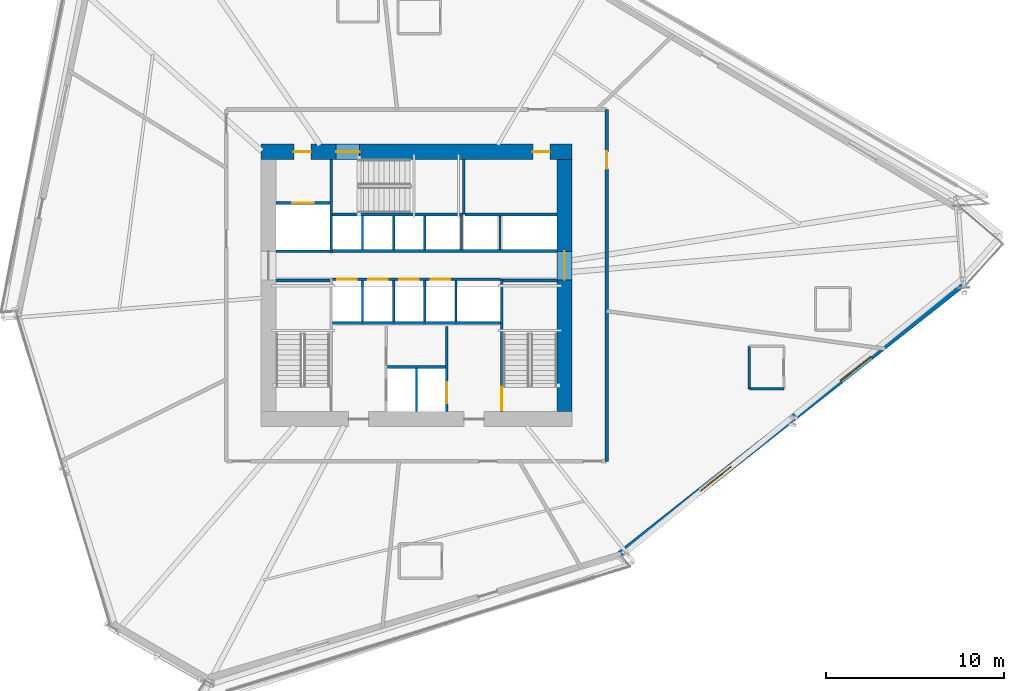
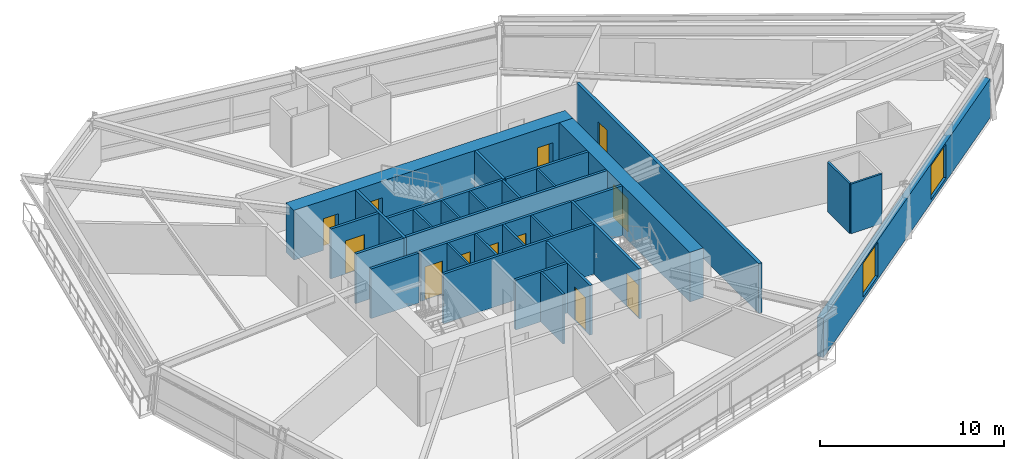
# One storey, part 18 of 22: 30 walls, 12 doors, 2 windows, 14 openings.
"""IFC4 building model written with IfcOpenShell, lengths in metres."""

from ifc_helpers import new_model, si_unit, direction, frame, frame_2d, origin, place, context, subcontext, project, spatial, rectangle, extrude, source, transform, mapped, material, layer, layer_set, type_object, type_shapes, element, fill, save


model = new_model("IFC4")

# Units and contexts
model_context = context("Model", 3, precision=1e-05, world=origin(), true_north=direction((0.0, 1.0)))
body_context = subcontext(model_context, "Body", "Model", "MODEL_VIEW")
ifc_project = project(units=[si_unit("LENGTHUNIT", "METRE"), si_unit("AREAUNIT", "SQUARE_METRE"), si_unit("VOLUMEUNIT", "CUBIC_METRE"), si_unit("PLANEANGLEUNIT", "RADIAN"), si_unit("MASSUNIT", "GRAM", prefix="KILO")], contexts=[model_context])

# Site, building, storey
site_placement = place(None, origin())
site = spatial("IfcSite", under=ifc_project, at=site_placement, CompositionType="ELEMENT")
building_placement = place(site_placement, origin())
building = spatial("IfcBuilding", under=site, at=building_placement, Name="Olszyna Solenne Hotel", CompositionType="ELEMENT")
storey_placement = place(building_placement, frame((0.0, 0.0, 50.60009765625)))
storey = spatial("IfcBuildingStorey", under=building, at=storey_placement, Name="L12", CompositionType="ELEMENT", Elevation=50.60009765625)

# Wall, openings, doors
ifc_material_1 = material(Name="Concrete C60/75", Category="concrete")
ifc_layer_1 = layer(ifc_material_1, 0.85009765625, Name="Concrete C60/75")
ifc_layer_set_1 = layer_set([ifc_layer_1], Name="Concrete C60/75")
wall_type_1 = type_object("IfcWallType", Name="WL-CR850", PredefinedType="SHEAR", material=ifc_layer_set_1)
wall_1_placement = place(storey_placement, frame((29.25, 34.125, 0.0), z_axis=(0.0, 0.0, 1.0), x_axis=(1.0, 0.0, 0.0)))
wall_1 = element("IfcWall", 1, at=wall_1_placement, inside=storey, type_object=wall_type_1, Name="Core shear wall WL-CR850 CRW-L12-N", PredefinedType="SHEAR", context=body_context, shape_type="SweptSolid", body=[
    extrude(rectangle(XDim=17.5, YDim=0.85009765625, at=frame_2d((8.75, 0.0))), origin(), (0.0, 0.0, 1.0), 3.2998046875),
])
opening_1_placement = place(wall_1_placement, frame((1.85009765625, 0.0, 0.0)))
opening_1 = element("IfcOpeningElement", 2, at=opening_1_placement, cuts=wall_1, Name="Opening SVD-L12-01", PredefinedType="OPENING", context=body_context, shape_type="SweptSolid", body=[
    extrude(rectangle(XDim=0.949951171875, YDim=2.10009765625, at=frame_2d((0.47509765625, 1.050048828125))), frame((0.0, 0.43505859375, 0.0), z_axis=(0.0, -1.0, 0.0), x_axis=(1.0, 0.0, 0.0)), (0.0, 0.0, 1.0), 0.8701171875),
])
opening_2_placement = place(wall_1_placement, frame((4.22998046875, 0.0, 0.0)))
opening_2 = element("IfcOpeningElement", 3, at=opening_2_placement, cuts=wall_1, Name="Opening STD-L12-03", PredefinedType="OPENING", context=body_context, shape_type="SweptSolid", body=[
    extrude(rectangle(XDim=1.320068359375, YDim=2.199951171875, at=frame_2d((0.66015625, 1.10009765625))), frame((0.0, 0.43505859375, 0.0), z_axis=(0.0, -1.0, 0.0), x_axis=(1.0, 0.0, 0.0)), (0.0, 0.0, 1.0), 0.8701171875),
])
opening_3_placement = place(wall_1_placement, frame((15.300048828125, 0.0, 0.0)))
opening_3 = element("IfcOpeningElement", 4, at=opening_3_placement, cuts=wall_1, Name="Opening SVD-L12-BN", PredefinedType="OPENING", context=body_context, shape_type="SweptSolid", body=[
    extrude(rectangle(XDim=0.949951171875, YDim=2.10009765625, at=frame_2d((0.47509765625, 1.050048828125))), frame((0.0, 0.43505859375, 0.0), z_axis=(0.0, -1.0, 0.0), x_axis=(1.0, 0.0, 0.0)), (0.0, 0.0, 1.0), 0.8701171875),
])
ifc_material_2 = material(Name="Steel S355J2", Category="steel")
door_type_1 = type_object("IfcDoorType", Name="DR-ST1", OperationType="NOTDEFINED", PredefinedType="DOOR", material=ifc_material_2)
shared_shape_1 = source(origin(), body_context, "Body", "SweptSolid", [
    extrude(rectangle(XDim=1.320068359375, YDim=2.199951171875, at=frame_2d((0.66015625, 1.10009765625))), frame((0.0, 0.02490234375, 0.0), z_axis=(0.0, -1.0, 0.0), x_axis=(1.0, 0.0, 0.0)), (0.0, 0.0, 1.0), 0.050048828125),
])
type_shapes(door_type_1, [shared_shape_1])
door_1_placement = place(opening_2_placement, origin())
door_1 = element("IfcDoor", 5, at=door_1_placement, inside=storey, type_object=door_type_1, Name="Pressurised exit stair ST3 fire door STD-L12-03", OperationType="SINGLE_SWING_RIGHT", OverallHeight=2.199951171875, OverallWidth=1.320068359375, PredefinedType="DOOR", context=body_context, shape_type="MappedRepresentation", body=[
    mapped(shared_shape_1, transform((0.0, 0.0, 0.0), x_axis=(1.0, 0.0, 0.0), y_axis=(0.0, 1.0, 0.0), z_axis=(0.0, 0.0, 1.0), scale=1.0)),
])
fill(opening_2, door_1)
door_type_2 = type_object("IfcDoorType", Name="DR-SV1", OperationType="NOTDEFINED", PredefinedType="DOOR", material=ifc_material_2)
shared_shape_2 = source(origin(), body_context, "Body", "SweptSolid", [
    extrude(rectangle(XDim=0.949951171875, YDim=2.10009765625, at=frame_2d((0.47509765625, 1.050048828125))), frame((0.0, 0.02490234375, 0.0), z_axis=(0.0, -1.0, 0.0), x_axis=(1.0, 0.0, 0.0)), (0.0, 0.0, 1.0), 0.050048828125),
])
type_shapes(door_type_2, [shared_shape_2])
door_2_placement = place(opening_1_placement, origin())
door_2 = element("IfcDoor", 6, at=door_2_placement, inside=storey, type_object=door_type_2, Name="Service lift lobby fire door SVD-L12-01", OperationType="SINGLE_SWING_LEFT", OverallHeight=2.10009765625, OverallWidth=0.949951171875, PredefinedType="DOOR", context=body_context, shape_type="MappedRepresentation", body=[
    mapped(shared_shape_2, transform((0.0, 0.0, 0.0), x_axis=(1.0, 0.0, 0.0), y_axis=(0.0, 1.0, 0.0), z_axis=(0.0, 0.0, 1.0), scale=1.0)),
])
fill(opening_1, door_2)
door_3_placement = place(opening_3_placement, origin())
door_3 = element("IfcDoor", 7, at=door_3_placement, inside=storey, type_object=door_type_2, Name="Housekeeping core fire door SVD-L12-BN", OperationType="SINGLE_SWING_LEFT", OverallHeight=2.10009765625, OverallWidth=0.949951171875, PredefinedType="DOOR", context=body_context, shape_type="MappedRepresentation", body=[
    mapped(shared_shape_2, transform((0.0, 0.0, 0.0), x_axis=(1.0, 0.0, 0.0), y_axis=(0.0, 1.0, 0.0), z_axis=(0.0, 0.0, 1.0), scale=1.0)),
])
fill(opening_3, door_3)

# Wall, opening, door
wall_2_placement = place(storey_placement, frame((46.324951171875, 33.699951171875, 0.0), z_axis=(0.0, 0.0, 1.0), x_axis=(0.0, -1.0, 0.0)))
wall_2 = element("IfcWall", 8, at=wall_2_placement, inside=storey, type_object=wall_type_1, Name="Core shear wall WL-CR850 CRW-L12-E", PredefinedType="SHEAR", context=body_context, shape_type="SweptSolid", body=[
    extrude(rectangle(XDim=14.199951171875, YDim=0.85009765625, at=frame_2d((7.10009765625, 0.0))), origin(), (0.0, 0.0, 1.0), 3.2998046875),
])
opening_4_placement = place(wall_2_placement, frame((5.179931640625, 0.0, 0.0)))
opening_4 = element("IfcOpeningElement", 9, at=opening_4_placement, cuts=wall_2, Name="Opening LHD-L12-E", PredefinedType="OPENING", context=body_context, shape_type="SweptSolid", body=[
    extrude(rectangle(XDim=1.60009765625, YDim=2.199951171875, at=frame_2d((0.800048828125, 1.10009765625))), frame((0.0, 0.43505859375, 0.0), z_axis=(0.0, -1.0, 0.0), x_axis=(1.0, 0.0, 0.0)), (0.0, 0.0, 1.0), 0.8701171875),
])
ifc_material_3 = material(Name="Timber hardwood", Category="wood")
door_type_3 = type_object("IfcDoorType", Name="DR-CR1", OperationType="DOUBLE_DOOR_SINGLE_SWING", PredefinedType="DOOR", material=ifc_material_3)
shared_shape_3 = source(origin(), body_context, "Body", "SweptSolid", [
    extrude(rectangle(XDim=1.60009765625, YDim=2.199951171875, at=frame_2d((0.800048828125, 1.10009765625))), frame((0.0, 0.02490234375, 0.0), z_axis=(0.0, -1.0, 0.0), x_axis=(1.0, 0.0, 0.0)), (0.0, 0.0, 1.0), 0.050048828125),
])
type_shapes(door_type_3, [shared_shape_3])
door_4_placement = place(opening_4_placement, origin())
door_4 = element("IfcDoor", 10, at=door_4_placement, inside=storey, type_object=door_type_3, Name="Passenger lift lobby East fire door LHD-L12-E", OperationType="DOUBLE_DOOR_SINGLE_SWING", OverallHeight=2.199951171875, OverallWidth=1.60009765625, PredefinedType="DOOR", context=body_context, shape_type="MappedRepresentation", body=[
    mapped(shared_shape_3, transform((0.0, 0.0, 0.0), x_axis=(1.0, 0.0, 0.0), y_axis=(0.0, 1.0, 0.0), z_axis=(0.0, 0.0, 1.0), scale=1.0)),
])
fill(opening_4, door_4)

# Wall, openings, windows
ifc_material_4 = material(Name="Terracotta cladding on precast concrete C45/55", Category="masonry")
ifc_layer_2 = layer(ifc_material_4, 0.3798828125, Name="Terracotta cladding on precast concrete C45/55")
ifc_layer_set_2 = layer_set([ifc_layer_2], Name="Terracotta cladding on precast concrete C45/55")
wall_type_2 = type_object("IfcWallType", Name="WL-EX380", PredefinedType="SOLIDWALL", material=ifc_layer_set_2)
wall_3_placement = place(storey_placement, frame((68.6787109375, 26.63671875, 0.0), z_axis=(0.0, 0.0, 1.0), x_axis=(-0.785087909817, -0.619384350674, 0.0)))
wall_3 = element("IfcWall", 11, at=wall_3_placement, inside=storey, type_object=wall_type_2, Name="Exterior terracotta-precast frame wall WL-EX380 EW-L12-10", PredefinedType="SOLIDWALL", context=body_context, shape_type="SweptSolid", body=[
    extrude(rectangle(XDim=24.4873046875, YDim=0.3798828125, at=frame_2d((12.24365234375, 0.0))), origin(), (0.0, 0.0, 1.0), 2.591796875),
])
opening_5_placement = place(wall_3_placement, frame((6.506103515625, 0.0, 0.221923828125)))
opening_5 = element("IfcOpeningElement", 12, at=opening_5_placement, cuts=wall_3, Name="Opening WN-L12-055", PredefinedType="OPENING", context=body_context, shape_type="SweptSolid", body=[
    extrude(rectangle(XDim=2.199951171875, YDim=2.25, at=frame_2d((1.10009765625, 1.125))), frame((0.0, 0.199951171875, 0.0), z_axis=(0.0, -1.0, 0.0), x_axis=(1.0, 0.0, 0.0)), (0.0, 0.0, 1.0), 0.39990234375),
])
opening_6_placement = place(wall_3_placement, frame((16.531005859375, 0.0, 0.221923828125)))
opening_6 = element("IfcOpeningElement", 13, at=opening_6_placement, cuts=wall_3, Name="Opening WN-L12-056", PredefinedType="OPENING", context=body_context, shape_type="SweptSolid", body=[
    extrude(rectangle(XDim=2.199951171875, YDim=2.25, at=frame_2d((1.10009765625, 1.125))), frame((0.0, 0.199951171875, 0.0), z_axis=(0.0, -1.0, 0.0), x_axis=(1.0, 0.0, 0.0)), (0.0, 0.0, 1.0), 0.39990234375),
])
ifc_material_5 = material(Name="Low-E triple glazing", Category="glass")
window_type = type_object("IfcWindowType", Name="WN-HT2", PartitioningType="SINGLE_PANEL", PredefinedType="WINDOW", material=ifc_material_5)
shared_shape_4 = source(origin(), body_context, "Body", "SweptSolid", [
    extrude(rectangle(XDim=2.199951171875, YDim=2.25, at=frame_2d((1.10009765625, 1.125))), frame((0.0, 0.030029296875, 0.0), z_axis=(0.0, -1.0, 0.0), x_axis=(1.0, 0.0, 0.0)), (0.0, 0.0, 1.0), 0.06005859375),
])
type_shapes(window_type, [shared_shape_4])
window_1_placement = place(opening_5_placement, origin())
window_1 = element("IfcWindow", 14, at=window_1_placement, inside=storey, type_object=window_type, Name="Exterior facade window WN-HT2 WN-L12-055", OverallHeight=2.25, OverallWidth=2.199951171875, PartitioningType="SINGLE_PANEL", PredefinedType="WINDOW", context=body_context, shape_type="MappedRepresentation", body=[
    mapped(shared_shape_4, transform((0.0, 0.0, 0.0), x_axis=(1.0, 0.0, 0.0), y_axis=(0.0, 1.0, 0.0), z_axis=(0.0, 0.0, 1.0), scale=1.0)),
])
fill(opening_5, window_1)
window_2_placement = place(opening_6_placement, origin())
window_2 = element("IfcWindow", 15, at=window_2_placement, inside=storey, type_object=window_type, Name="Exterior facade window WN-HT2 WN-L12-056", OverallHeight=2.25, OverallWidth=2.199951171875, PartitioningType="SINGLE_PANEL", PredefinedType="WINDOW", context=body_context, shape_type="MappedRepresentation", body=[
    mapped(shared_shape_4, transform((0.0, 0.0, 0.0), x_axis=(1.0, 0.0, 0.0), y_axis=(0.0, 1.0, 0.0), z_axis=(0.0, 0.0, 1.0), scale=1.0)),
])
fill(opening_6, window_2)

# Walls
ifc_material_6 = material(Name="Acoustic gypsum partition", Category="gypsum")
ifc_layer_3 = layer(ifc_material_6, 0.125, Name="Acoustic gypsum partition")
ifc_layer_set_3 = layer_set([ifc_layer_3], Name="Acoustic gypsum partition")
wall_type_3 = type_object("IfcWallType", Name="WL-PT125", PredefinedType="PARTITIONING", material=ifc_layer_set_3)
wall_4_placement = place(storey_placement, frame((38.0, 19.5, 0.0), z_axis=(0.0, 0.0, 1.0), x_axis=(0.0, 1.0, 0.0)))
element("IfcWall", 16, at=wall_4_placement, inside=storey, type_object=wall_type_3, Name="Core shaft compartment wall CW-L12-FFM", PredefinedType="PARTITIONING", context=body_context, shape_type="SweptSolid", body=[
    extrude(rectangle(XDim=2.4599609375, YDim=0.125, at=frame_2d((1.22998046875, 0.0))), origin(), (0.0, 0.0, 1.0), 3.2998046875),
])
for number, where, z_axis, x_axis, name in (
    (17, (34.965087890625, 24.56005859375, 0.0), (0.0, 0.0, 1.0), (0.0, 1.0, 0.0), "Core shaft compartment wall CW-L12-DIVS349"),
    (18, (36.715087890625, 24.56005859375, 0.0), (0.0, 0.0, 1.0), (0.0, 1.0, 0.0), "Core shaft compartment wall CW-L12-DIVS367"),
    (19, (38.465087890625, 24.56005859375, 0.0), (0.0, 0.0, 1.0), (0.0, 1.0, 0.0), "Core shaft compartment wall CW-L12-DIVS384"),
    (20, (40.215087890625, 24.56005859375, 0.0), (0.0, 0.0, 1.0), (0.0, 1.0, 0.0), "Core shaft compartment wall CW-L12-DIVS402"),
):
    element("IfcWall", number, at=place(storey_placement, frame(where, z_axis=z_axis, x_axis=x_axis)), inside=storey, type_object=wall_type_3, Name=name, PredefinedType="PARTITIONING", context=body_context, shape_type="SweptSolid", body=[
        extrude(rectangle(XDim=2.31005859375, YDim=0.125, at=frame_2d((1.155029296875, 0.0))), origin(), (0.0, 0.0, 1.0), 3.2998046875),
    ])
for number, where, z_axis, x_axis, name in (
    (21, (34.965087890625, 28.60009765625, 0.0), (0.0, 0.0, 1.0), (0.0, 1.0, 0.0), "Core shaft compartment wall CW-L12-DIVN349"),
    (22, (36.715087890625, 28.60009765625, 0.0), (0.0, 0.0, 1.0), (0.0, 1.0, 0.0), "Core shaft compartment wall CW-L12-DIVN367"),
    (23, (38.465087890625, 28.60009765625, 0.0), (0.0, 0.0, 1.0), (0.0, 1.0, 0.0), "Core shaft compartment wall CW-L12-DIVN384"),
    (24, (40.52490234375, 28.60009765625, 0.0), (0.0, 0.0, 1.0), (0.0, 1.0, 0.0), "Core shaft compartment wall CW-L12-DIVEX405"),
    (25, (42.699951171875, 28.60009765625, 0.0), (0.0, 0.0, 1.0), (0.0, 1.0, 0.0), "Core shaft compartment wall CW-L12-DIVEX427"),
):
    element("IfcWall", number, at=place(storey_placement, frame(where, z_axis=z_axis, x_axis=x_axis)), inside=storey, type_object=wall_type_3, Name=name, PredefinedType="PARTITIONING", context=body_context, shape_type="SweptSolid", body=[
        extrude(rectangle(XDim=1.919921875, YDim=0.125, at=frame_2d((0.9599609375, 0.0))), origin(), (0.0, 0.0, 1.0), 3.2998046875),
    ])
wall_5_placement = place(storey_placement, frame((56.721923828125, 23.18310546875, 0.0), z_axis=(0.0, 0.0, 1.0), x_axis=(0.0, -1.0, 0.0)))
element("IfcWall", 26, at=wall_5_placement, inside=storey, type_object=wall_type_3, Name="Interior acoustic partition WL-PT125 PW-L12-0659", PredefinedType="PARTITIONING", context=body_context, shape_type="SweptSolid", body=[
    extrude(rectangle(XDim=2.400146484375, YDim=0.125, at=frame_2d((1.2001953125, 0.0))), origin(), (0.0, 0.0, 1.0), 3.2998046875),
])
wall_6_placement = place(storey_placement, frame((56.721923828125, 20.782958984375, 0.0), z_axis=(0.0, 0.0, 1.0), x_axis=(1.0, 0.0, 0.0)))
element("IfcWall", 27, at=wall_6_placement, inside=storey, type_object=wall_type_3, Name="Interior acoustic partition WL-PT125 PW-L12-0660", PredefinedType="PARTITIONING", context=body_context, shape_type="SweptSolid", body=[
    extrude(rectangle(XDim=1.9501953125, YDim=0.125, at=frame_2d((0.97509765625, 0.0))), origin(), (0.0, 0.0, 1.0), 3.2998046875),
])
ifc_layer_4 = layer(ifc_material_6, 0.159912109375, Name="Acoustic gypsum partition")
ifc_layer_set_4 = layer_set([ifc_layer_4], Name="Acoustic gypsum partition")
wall_type_4 = type_object("IfcWallType", Name="WL-PT160", PredefinedType="PARTITIONING", material=ifc_layer_set_4)
wall_7_placement = place(storey_placement, frame((30.10009765625, 26.8798828125, 0.0), z_axis=(0.0, 0.0, 1.0), x_axis=(1.0, 0.0, 0.0)))
element("IfcWall", 28, at=wall_7_placement, inside=storey, type_object=wall_type_4, Name="Core shaft compartment wall CW-L12-ST1N", PredefinedType="PARTITIONING", context=body_context, shape_type="SweptSolid", body=[
    extrude(rectangle(XDim=3.02001953125, YDim=0.159912109375, at=frame_2d((1.510009765625, 0.0))), origin(), (0.0, 0.0, 1.0), 3.2998046875),
])

# Wall, opening, door
wall_8_placement = place(storey_placement, frame((42.800048828125, 26.9599609375, 0.0), z_axis=(0.0, 0.0, 1.0), x_axis=(0.0, -1.0, 0.0)))
wall_8 = element("IfcWall", 29, at=wall_8_placement, inside=storey, type_object=wall_type_4, Name="Core shaft compartment wall CW-L12-ST2W", PredefinedType="PARTITIONING", context=body_context, shape_type="SweptSolid", body=[
    extrude(rectangle(XDim=7.4599609375, YDim=0.159912109375, at=frame_2d((3.72998046875, 0.0))), origin(), (0.0, 0.0, 1.0), 3.2998046875),
])
opening_7_placement = place(wall_8_placement, frame((6.06005859375, 0.0, 0.0)))
opening_7 = element("IfcOpeningElement", 30, at=opening_7_placement, cuts=wall_8, Name="Opening STD-L12-02", PredefinedType="OPENING", context=body_context, shape_type="SweptSolid", body=[
    extrude(rectangle(XDim=1.320068359375, YDim=2.199951171875, at=frame_2d((0.66015625, 1.10009765625))), frame((0.0, 0.08984375, 0.0), z_axis=(0.0, -1.0, 0.0), x_axis=(1.0, 0.0, 0.0)), (0.0, 0.0, 1.0), 0.179931640625),
])
door_5_placement = place(opening_7_placement, origin())
door_5 = element("IfcDoor", 31, at=door_5_placement, inside=storey, type_object=door_type_1, Name="Pressurised exit stair ST2 fire door STD-L12-02", OperationType="SINGLE_SWING_RIGHT", OverallHeight=2.199951171875, OverallWidth=1.320068359375, PredefinedType="DOOR", context=body_context, shape_type="MappedRepresentation", body=[
    mapped(shared_shape_1, transform((0.0, 0.0, 0.0), x_axis=(1.0, 0.0, 0.0), y_axis=(0.0, 1.0, 0.0), z_axis=(0.0, 0.0, 1.0), scale=1.0)),
])
fill(opening_7, door_5)

# Walls
wall_9_placement = place(storey_placement, frame((42.8798828125, 26.8798828125, 0.0), z_axis=(0.0, 0.0, 1.0), x_axis=(1.0, 0.0, 0.0)))
element("IfcWall", 32, at=wall_9_placement, inside=storey, type_object=wall_type_4, Name="Core shaft compartment wall CW-L12-ST2N", PredefinedType="PARTITIONING", context=body_context, shape_type="SweptSolid", body=[
    extrude(rectangle(XDim=3.02001953125, YDim=0.159912109375, at=frame_2d((1.510009765625, 0.0))), origin(), (0.0, 0.0, 1.0), 3.2998046875),
])
wall_10_placement = place(storey_placement, frame((33.280029296875, 30.60009765625, 0.0), z_axis=(0.0, 0.0, 1.0), x_axis=(1.0, 0.0, 0.0)))
element("IfcWall", 33, at=wall_10_placement, inside=storey, type_object=wall_type_4, Name="Core shaft compartment wall CW-L12-ST3S", PredefinedType="PARTITIONING", context=body_context, shape_type="SweptSolid", body=[
    extrude(rectangle(XDim=7.300048828125, YDim=0.159912109375, at=frame_2d((3.64990234375, 0.0))), origin(), (0.0, 0.0, 1.0), 3.2998046875),
])
wall_11_placement = place(storey_placement, frame((40.659912109375, 30.60009765625, 0.0), z_axis=(0.0, 0.0, 1.0), x_axis=(0.0, 1.0, 0.0)))
element("IfcWall", 34, at=wall_11_placement, inside=storey, type_object=wall_type_4, Name="Core shaft compartment wall CW-L12-ST3E", PredefinedType="PARTITIONING", context=body_context, shape_type="SweptSolid", body=[
    extrude(rectangle(XDim=3.099853515625, YDim=0.159912109375, at=frame_2d((1.5498046875, 0.0))), origin(), (0.0, 0.0, 1.0), 3.2998046875),
])

# Wall, opening, door
wall_12_placement = place(storey_placement, frame((39.699951171875, 24.280029296875, 0.0), z_axis=(0.0, 0.0, 1.0), x_axis=(0.0, -1.0, 0.0)))
wall_12 = element("IfcWall", 35, at=wall_12_placement, inside=storey, type_object=wall_type_4, Name="Core shaft compartment wall CW-L12-FF2E", PredefinedType="PARTITIONING", context=body_context, shape_type="SweptSolid", body=[
    extrude(rectangle(XDim=4.780029296875, YDim=0.159912109375, at=frame_2d((2.39013671875, 0.0))), origin(), (0.0, 0.0, 1.0), 3.2998046875),
])
opening_8_placement = place(wall_12_placement, frame((3.1201171875, 0.0, 0.0)))
opening_8 = element("IfcOpeningElement", 36, at=opening_8_placement, cuts=wall_12, Name="Opening LD-L12-FF2", PredefinedType="OPENING", context=body_context, shape_type="SweptSolid", body=[
    extrude(rectangle(XDim=1.199951171875, YDim=2.199951171875, at=frame_2d((0.60009765625, 1.10009765625))), frame((0.0, 0.08984375, 0.0), z_axis=(0.0, -1.0, 0.0), x_axis=(1.0, 0.0, 0.0)), (0.0, 0.0, 1.0), 0.179931640625),
])
door_type_4 = type_object("IfcDoorType", Name="LD-FF1", OperationType="DOUBLE_DOOR_SLIDING", PredefinedType="DOOR", material=ifc_material_2)
shared_shape_5 = source(origin(), body_context, "Body", "SweptSolid", [
    extrude(rectangle(XDim=1.199951171875, YDim=2.199951171875, at=frame_2d((0.60009765625, 1.10009765625))), frame((0.0, 0.02490234375, 0.0), z_axis=(0.0, -1.0, 0.0), x_axis=(1.0, 0.0, 0.0)), (0.0, 0.0, 1.0), 0.050048828125),
])
type_shapes(door_type_4, [shared_shape_5])
door_6_placement = place(opening_8_placement, origin())
door_6 = element("IfcDoor", 37, at=door_6_placement, inside=storey, type_object=door_type_4, Name="Firefighters lift FF2 sliding landing door LD-L12-FF2", OperationType="DOUBLE_DOOR_SLIDING", OverallHeight=2.199951171875, OverallWidth=1.199951171875, PredefinedType="DOOR", context=body_context, shape_type="MappedRepresentation", body=[
    mapped(shared_shape_5, transform((0.0, 0.0, 0.0), x_axis=(1.0, 0.0, 0.0), y_axis=(0.0, 1.0, 0.0), z_axis=(0.0, 0.0, 1.0), scale=1.0)),
])
fill(opening_8, door_6)

# Walls
wall_13_placement = place(storey_placement, frame((36.3798828125, 22.02001953125, 0.0), z_axis=(0.0, 0.0, 1.0), x_axis=(1.0, 0.0, 0.0)))
element("IfcWall", 38, at=wall_13_placement, inside=storey, type_object=wall_type_4, Name="Core shaft compartment wall CW-L12-FFN", PredefinedType="PARTITIONING", context=body_context, shape_type="SweptSolid", body=[
    extrude(rectangle(XDim=3.240234375, YDim=0.159912109375, at=frame_2d((1.6201171875, 0.0))), origin(), (0.0, 0.0, 1.0), 3.2998046875),
])
wall_14_placement = place(storey_placement, frame((33.280029296875, 24.489990234375, 0.0), z_axis=(0.0, 0.0, 1.0), x_axis=(1.0, 0.0, 0.0)))
element("IfcWall", 39, at=wall_14_placement, inside=storey, type_object=wall_type_4, Name="Core shaft compartment wall CW-L12-FFBN", PredefinedType="PARTITIONING", context=body_context, shape_type="SweptSolid", body=[
    extrude(rectangle(XDim=9.43994140625, YDim=0.159912109375, at=frame_2d((4.719970703125, 0.0))), origin(), (0.0, 0.0, 1.0), 3.2998046875),
])
wall_15_placement = place(storey_placement, frame((30.10009765625, 28.52001953125, 0.0), z_axis=(0.0, 0.0, 1.0), x_axis=(1.0, 0.0, 0.0)))
element("IfcWall", 40, at=wall_15_placement, inside=storey, type_object=wall_type_4, Name="Core shaft compartment wall CW-L12-SV1S", PredefinedType="PARTITIONING", context=body_context, shape_type="SweptSolid", body=[
    extrude(rectangle(XDim=3.02001953125, YDim=0.159912109375, at=frame_2d((1.510009765625, 0.0))), origin(), (0.0, 0.0, 1.0), 3.2998046875),
])
wall_16_placement = place(storey_placement, frame((33.199951171875, 28.43994140625, 0.0), z_axis=(0.0, 0.0, 1.0), x_axis=(0.0, 1.0, 0.0)))
element("IfcWall", 41, at=wall_16_placement, inside=storey, type_object=wall_type_4, Name="Core shaft compartment wall CW-L12-SV1E", PredefinedType="PARTITIONING", context=body_context, shape_type="SweptSolid", body=[
    extrude(rectangle(XDim=5.260009765625, YDim=0.159912109375, at=frame_2d((2.6298828125, 0.0))), origin(), (0.0, 0.0, 1.0), 3.2998046875),
])

# Wall, opening, door
wall_17_placement = place(storey_placement, frame((30.10009765625, 31.239990234375, 0.0), z_axis=(0.0, 0.0, 1.0), x_axis=(1.0, 0.0, 0.0)))
wall_17 = element("IfcWall", 42, at=wall_17_placement, inside=storey, type_object=wall_type_4, Name="Core shaft compartment wall CW-L12-SV1N", PredefinedType="PARTITIONING", context=body_context, shape_type="SweptSolid", body=[
    extrude(rectangle(XDim=3.02001953125, YDim=0.159912109375, at=frame_2d((1.510009765625, 0.0))), origin(), (0.0, 0.0, 1.0), 3.2998046875),
])
opening_9_placement = place(wall_17_placement, frame((0.909912109375, 0.0, 0.0)))
opening_9 = element("IfcOpeningElement", 43, at=opening_9_placement, cuts=wall_17, Name="Opening LD-L12-SV1", PredefinedType="OPENING", context=body_context, shape_type="SweptSolid", body=[
    extrude(rectangle(XDim=1.199951171875, YDim=2.199951171875, at=frame_2d((0.60009765625, 1.10009765625))), frame((0.0, 0.08984375, 0.0), z_axis=(0.0, -1.0, 0.0), x_axis=(1.0, 0.0, 0.0)), (0.0, 0.0, 1.0), 0.179931640625),
])
door_7_placement = place(opening_9_placement, origin())
door_7 = element("IfcDoor", 44, at=door_7_placement, inside=storey, type_object=door_type_4, Name="Service lift SV1 sliding landing door LD-L12-SV1", OperationType="DOUBLE_DOOR_SLIDING", OverallHeight=2.199951171875, OverallWidth=1.199951171875, PredefinedType="DOOR", context=body_context, shape_type="MappedRepresentation", body=[
    mapped(shared_shape_5, transform((0.0, 0.0, 0.0), x_axis=(1.0, 0.0, 0.0), y_axis=(0.0, 1.0, 0.0), z_axis=(0.0, 0.0, 1.0), scale=1.0)),
])
fill(opening_9, door_7)

# Wall, openings, doors
wall_18_placement = place(storey_placement, frame((33.280029296875, 26.949951171875, 0.0), z_axis=(0.0, 0.0, 1.0), x_axis=(1.0, 0.0, 0.0)))
wall_18 = element("IfcWall", 45, at=wall_18_placement, inside=storey, type_object=wall_type_4, Name="Core shaft compartment wall CW-L12-LRS", PredefinedType="PARTITIONING", context=body_context, shape_type="SweptSolid", body=[
    extrude(rectangle(XDim=9.43994140625, YDim=0.159912109375, at=frame_2d((4.719970703125, 0.0))), origin(), (0.0, 0.0, 1.0), 3.2998046875),
])
opening_10_placement = place(wall_18_placement, frame((0.260009765625, 0.0, 0.0)))
opening_10 = element("IfcOpeningElement", 46, at=opening_10_placement, cuts=wall_18, Name="Opening LD-L12-PL1", PredefinedType="OPENING", context=body_context, shape_type="SweptSolid", body=[
    extrude(rectangle(XDim=1.10009765625, YDim=2.199951171875, at=frame_2d((0.550048828125, 1.10009765625))), frame((0.0, 0.08984375, 0.0), z_axis=(0.0, -1.0, 0.0), x_axis=(1.0, 0.0, 0.0)), (0.0, 0.0, 1.0), 0.179931640625),
])
opening_11_placement = place(wall_18_placement, frame((2.010009765625, 0.0, 0.0)))
opening_11 = element("IfcOpeningElement", 47, at=opening_11_placement, cuts=wall_18, Name="Opening LD-L12-PL2", PredefinedType="OPENING", context=body_context, shape_type="SweptSolid", body=[
    extrude(rectangle(XDim=1.10009765625, YDim=2.199951171875, at=frame_2d((0.550048828125, 1.10009765625))), frame((0.0, 0.08984375, 0.0), z_axis=(0.0, -1.0, 0.0), x_axis=(1.0, 0.0, 0.0)), (0.0, 0.0, 1.0), 0.179931640625),
])
opening_12_placement = place(wall_18_placement, frame((3.760009765625, 0.0, 0.0)))
opening_12 = element("IfcOpeningElement", 48, at=opening_12_placement, cuts=wall_18, Name="Opening LD-L12-PL3", PredefinedType="OPENING", context=body_context, shape_type="SweptSolid", body=[
    extrude(rectangle(XDim=1.10009765625, YDim=2.199951171875, at=frame_2d((0.550048828125, 1.10009765625))), frame((0.0, 0.08984375, 0.0), z_axis=(0.0, -1.0, 0.0), x_axis=(1.0, 0.0, 0.0)), (0.0, 0.0, 1.0), 0.179931640625),
])
opening_13_placement = place(wall_18_placement, frame((5.510009765625, 0.0, 0.0)))
opening_13 = element("IfcOpeningElement", 49, at=opening_13_placement, cuts=wall_18, Name="Opening LD-L12-PL4", PredefinedType="OPENING", context=body_context, shape_type="SweptSolid", body=[
    extrude(rectangle(XDim=1.10009765625, YDim=2.199951171875, at=frame_2d((0.550048828125, 1.10009765625))), frame((0.0, 0.08984375, 0.0), z_axis=(0.0, -1.0, 0.0), x_axis=(1.0, 0.0, 0.0)), (0.0, 0.0, 1.0), 0.179931640625),
])
door_type_5 = type_object("IfcDoorType", Name="LD-P1", OperationType="DOUBLE_DOOR_SLIDING", PredefinedType="DOOR", material=ifc_material_2)
shared_shape_6 = source(origin(), body_context, "Body", "SweptSolid", [
    extrude(rectangle(XDim=1.10009765625, YDim=2.199951171875, at=frame_2d((0.550048828125, 1.10009765625))), frame((0.0, 0.02490234375, 0.0), z_axis=(0.0, -1.0, 0.0), x_axis=(1.0, 0.0, 0.0)), (0.0, 0.0, 1.0), 0.050048828125),
])
type_shapes(door_type_5, [shared_shape_6])
door_8_placement = place(opening_10_placement, origin())
door_8 = element("IfcDoor", 50, at=door_8_placement, inside=storey, type_object=door_type_5, Name="Passenger lift PL1 sliding landing door LD-L12-PL1", OperationType="DOUBLE_DOOR_SLIDING", OverallHeight=2.199951171875, OverallWidth=1.10009765625, PredefinedType="DOOR", context=body_context, shape_type="MappedRepresentation", body=[
    mapped(shared_shape_6, transform((0.0, 0.0, 0.0), x_axis=(1.0, 0.0, 0.0), y_axis=(0.0, 1.0, 0.0), z_axis=(0.0, 0.0, 1.0), scale=1.0)),
])
fill(opening_10, door_8)
door_9_placement = place(opening_11_placement, origin())
door_9 = element("IfcDoor", 51, at=door_9_placement, inside=storey, type_object=door_type_5, Name="Passenger lift PL2 sliding landing door LD-L12-PL2", OperationType="DOUBLE_DOOR_SLIDING", OverallHeight=2.199951171875, OverallWidth=1.10009765625, PredefinedType="DOOR", context=body_context, shape_type="MappedRepresentation", body=[
    mapped(shared_shape_6, transform((0.0, 0.0, 0.0), x_axis=(1.0, 0.0, 0.0), y_axis=(0.0, 1.0, 0.0), z_axis=(0.0, 0.0, 1.0), scale=1.0)),
])
fill(opening_11, door_9)
door_10_placement = place(opening_12_placement, origin())
door_10 = element("IfcDoor", 52, at=door_10_placement, inside=storey, type_object=door_type_5, Name="Passenger lift PL3 sliding landing door LD-L12-PL3", OperationType="DOUBLE_DOOR_SLIDING", OverallHeight=2.199951171875, OverallWidth=1.10009765625, PredefinedType="DOOR", context=body_context, shape_type="MappedRepresentation", body=[
    mapped(shared_shape_6, transform((0.0, 0.0, 0.0), x_axis=(1.0, 0.0, 0.0), y_axis=(0.0, 1.0, 0.0), z_axis=(0.0, 0.0, 1.0), scale=1.0)),
])
fill(opening_12, door_10)
door_11_placement = place(opening_13_placement, origin())
door_11 = element("IfcDoor", 53, at=door_11_placement, inside=storey, type_object=door_type_5, Name="Passenger lift PL4 sliding landing door LD-L12-PL4", OperationType="DOUBLE_DOOR_SLIDING", OverallHeight=2.199951171875, OverallWidth=1.10009765625, PredefinedType="DOOR", context=body_context, shape_type="MappedRepresentation", body=[
    mapped(shared_shape_6, transform((0.0, 0.0, 0.0), x_axis=(1.0, 0.0, 0.0), y_axis=(0.0, 1.0, 0.0), z_axis=(0.0, 0.0, 1.0), scale=1.0)),
])
fill(opening_13, door_11)

# Walls
wall_19_placement = place(storey_placement, frame((33.280029296875, 28.5400390625, 0.0), z_axis=(0.0, 0.0, 1.0), x_axis=(1.0, 0.0, 0.0)))
element("IfcWall", 54, at=wall_19_placement, inside=storey, type_object=wall_type_4, Name="Core shaft compartment wall CW-L12-LRN", PredefinedType="PARTITIONING", context=body_context, shape_type="SweptSolid", body=[
    extrude(rectangle(XDim=12.619873046875, YDim=0.159912109375, at=frame_2d((6.31005859375, 0.0))), origin(), (0.0, 0.0, 1.0), 3.2998046875),
])
wall_20_placement = place(storey_placement, frame((40.719970703125, 30.60009765625, 0.0), z_axis=(0.0, 0.0, 1.0), x_axis=(1.0, 0.0, 0.0)))
element("IfcWall", 55, at=wall_20_placement, inside=storey, type_object=wall_type_4, Name="Core shaft compartment wall CW-L12-LRNTOP", PredefinedType="PARTITIONING", context=body_context, shape_type="SweptSolid", body=[
    extrude(rectangle(XDim=5.179931640625, YDim=0.159912109375, at=frame_2d((2.58984375, 0.0))), origin(), (0.0, 0.0, 1.0), 3.2998046875),
])

# Wall, opening, door
ifc_layer_5 = layer(ifc_material_6, 0.199951171875, Name="Acoustic gypsum partition")
ifc_layer_set_5 = layer_set([ifc_layer_5], Name="Acoustic gypsum partition")
wall_type_5 = type_object("IfcWallType", Name="WL-PT200", PredefinedType="PARTITIONING", material=ifc_layer_set_5)
wall_21_placement = place(storey_placement, frame((48.699951171875, 16.699951171875, 0.0), z_axis=(0.0, 0.0, 1.0), x_axis=(0.0, 1.0, 0.0)))
wall_21 = element("IfcWall", 56, at=wall_21_placement, inside=storey, type_object=wall_type_5, Name="Interior acoustic partition WL-PT200 PW-L12-0680", PredefinedType="PARTITIONING", context=body_context, shape_type="SweptSolid", body=[
    extrude(rectangle(XDim=19.800048828125, YDim=0.199951171875, at=frame_2d((9.89990234375, 0.0))), origin(), (0.0, 0.0, 1.0), 3.2998046875),
])
opening_14_placement = place(wall_21_placement, frame((16.45703125, 0.0, 0.0)))
opening_14 = element("IfcOpeningElement", 57, at=opening_14_placement, cuts=wall_21, Name="Opening DR-L12-0153", PredefinedType="OPENING", context=body_context, shape_type="SweptSolid", body=[
    extrude(rectangle(XDim=0.97998046875, YDim=2.14990234375, at=frame_2d((0.489990234375, 1.074951171875))), frame((0.0, 0.10986328125, 0.0), z_axis=(0.0, -1.0, 0.0), x_axis=(1.0, 0.0, 0.0)), (0.0, 0.0, 1.0), 0.219970703125),
])
door_type_6 = type_object("IfcDoorType", Name="DR-RM1", OperationType="NOTDEFINED", PredefinedType="DOOR", material=ifc_material_3)
shared_shape_7 = source(origin(), body_context, "Body", "SweptSolid", [
    extrude(rectangle(XDim=0.97998046875, YDim=2.14990234375, at=frame_2d((0.489990234375, 1.074951171875))), frame((0.0, 0.02490234375, 0.0), z_axis=(0.0, -1.0, 0.0), x_axis=(1.0, 0.0, 0.0)), (0.0, 0.0, 1.0), 0.050048828125),
])
type_shapes(door_type_6, [shared_shape_7])
door_12_placement = place(opening_14_placement, origin())
door_12 = element("IfcDoor", 58, at=door_12_placement, inside=storey, type_object=door_type_6, Name="Premier King Suite Entrance Door DR-L12-0153", OperationType="SINGLE_SWING_RIGHT", OverallHeight=2.14990234375, OverallWidth=0.97998046875, PredefinedType="DOOR", context=body_context, shape_type="MappedRepresentation", body=[
    mapped(shared_shape_7, transform((0.0, 0.0, 0.0), x_axis=(1.0, 0.0, 0.0), y_axis=(0.0, 1.0, 0.0), z_axis=(0.0, 0.0, 1.0), scale=1.0)),
])
fill(opening_14, door_12)

save(model, "model.ifc")
